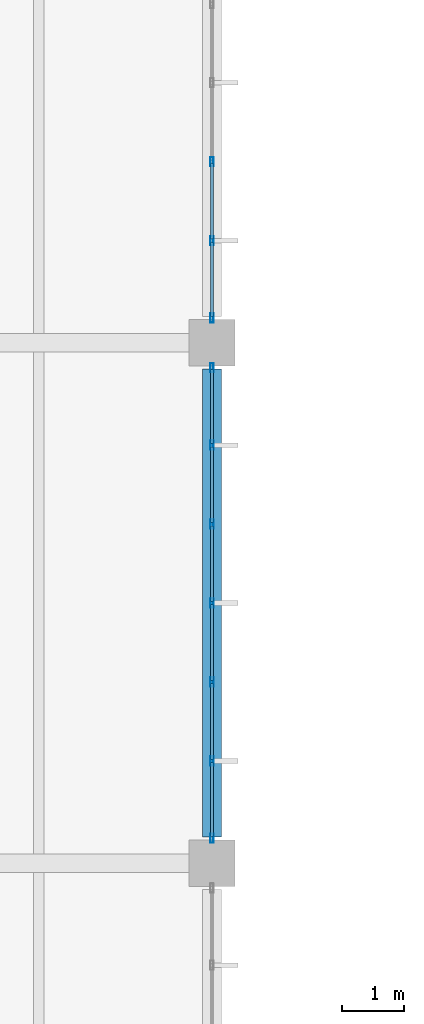
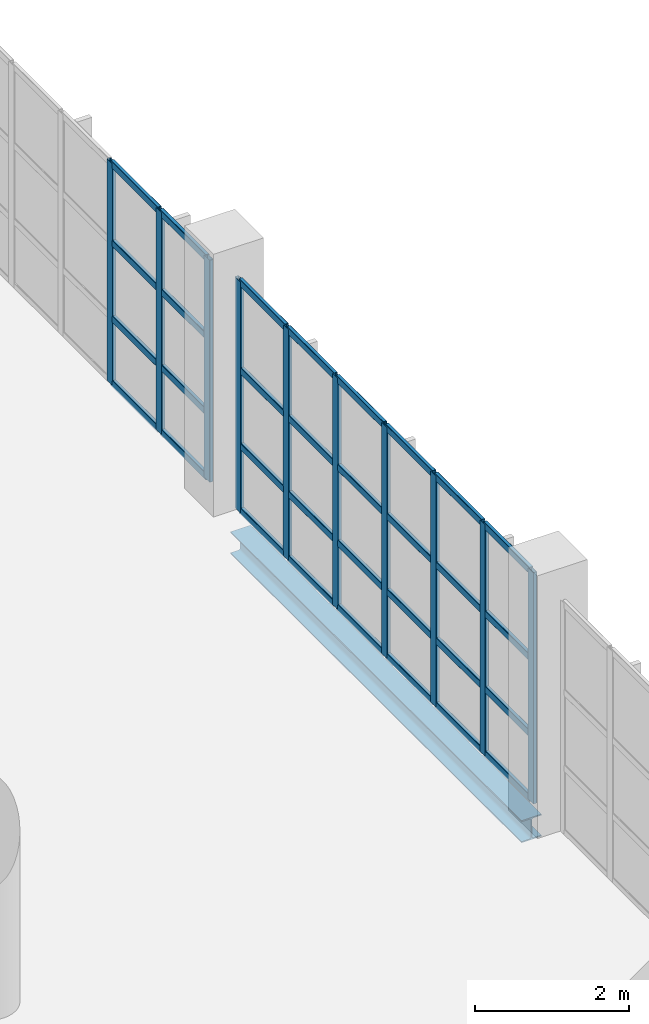
# One storey, part 58 of 177: 42 members, 1 beam, 2 elements without a shape of their own.
"""IFC4 building model written with IfcOpenShell, lengths in metres."""

from ifc_helpers import new_model, si_unit, direction, frame, origin, origin_2d, place, context, subcontext, project, spatial, hollow_rectangle, i_section, extrude, material, layer, layer_set, material_profile, profile_set, type_object, element, aggregate, save


model = new_model("IFC4")

# Units and contexts
model_context = context("Model", 3, precision=1e-05, world=origin(), true_north=direction((0.0, 1.0)))
body_context = subcontext(model_context, "Body", "Model", "MODEL_VIEW")
ifc_project = project(units=[si_unit("LENGTHUNIT", "METRE"), si_unit("AREAUNIT", "SQUARE_METRE"), si_unit("VOLUMEUNIT", "CUBIC_METRE"), si_unit("PLANEANGLEUNIT", "RADIAN"), si_unit("MASSUNIT", "GRAM", prefix="KILO"), si_unit("THERMODYNAMICTEMPERATUREUNIT", "KELVIN"), si_unit("POWERUNIT", "WATT")], contexts=[model_context])

# Site, building, storey
site_placement = place(None, origin())
site = spatial("IfcSite", under=ifc_project, at=site_placement, CompositionType="ELEMENT")
building_placement = place(site_placement, origin())
building = spatial("IfcBuilding", under=site, at=building_placement, Name="Mavoryth Pier Ferry Terminal", CompositionType="ELEMENT")
storey_placement = place(building_placement, frame((0.0, 0.0, 5.43994140625)))
storey = spatial("IfcBuildingStorey", under=building, at=storey_placement, Name="L01", CompositionType="ELEMENT", Elevation=5.43994140625)

# Curtain wall, members
ifc_material_1 = material(Name="Anodised Aluminium and Solar-Control Low-E Glass", Category="aluminium")
ifc_layer = layer(ifc_material_1, 0.199951171875, Name="Anodised Aluminium and Solar-Control Low-E Glass", Category="aluminium")
ifc_layer_set = layer_set([ifc_layer], Name="Anodised Aluminium and Solar-Control Low-E Glass - CW-Concourse-Mod1200")
curtain_wall_type = type_object("IfcCurtainWallType", Name="CW-Concourse-Mod1200", PredefinedType="USERDEFINED", material=ifc_layer_set)
curtain_wall_1_placement = place(storey_placement, origin())
curtain_wall_1 = element("IfcCurtainWall", 1, at=curtain_wall_1_placement, inside=storey, type_object=curtain_wall_type, Name="Curtain Wall CW-0111-016", ObjectType="UNITISED CURTAIN WALL", PredefinedType="USERDEFINED")
ifc_material_2 = material(Name="Anodised Aluminium EN AW-6063", Category="aluminium")
ifc_material_profile_1 = material_profile(ifc_material_2, hollow_rectangle(XDim=0.054931640625, YDim=0.14990234375, WallThickness=0.00390625, InnerFilletRadius=0.00390625, OuterFilletRadius=0.008056640625, at=origin_2d()), Name="AL-MULL 150x55x4", Category="aluminium")
ifc_profile_set_1 = profile_set([ifc_material_profile_1], Name="Anodised Aluminium EN AW-6063 - AL-MULL 150x55x4")
member_type_1 = type_object("IfcMemberType", Name="Mullion-Alum-150x55", PredefinedType="MULLION", material=ifc_profile_set_1)
member_1_placement = place(storey_placement, frame((33.60009765625, 64.402587890625, 0.0), z_axis=(0.0, 0.0, 1.0), x_axis=(-1.0, 0.0, 0.0)))
member_1 = element("IfcMember", 2, at=member_1_placement, type_object=member_type_1, Name="CW02 mullion 1", PredefinedType="MULLION", context=body_context, shape_type="SweptSolid", body=[
    extrude(hollow_rectangle(XDim=0.054931640625, YDim=0.14990234375, WallThickness=0.00390625, InnerFilletRadius=0.00390625, OuterFilletRadius=0.008056640625, at=origin_2d()), origin(), (0.0, 0.0, 1.0), 3.66015625),
])
member_2_placement = place(storey_placement, frame((33.60009765625, 65.64990234375, 0.0), z_axis=(0.0, 0.0, 1.0), x_axis=(-1.0, 0.0, 0.0)))
member_2 = element("IfcMember", 3, at=member_2_placement, type_object=member_type_1, Name="CW02 mullion 2", PredefinedType="MULLION", context=body_context, shape_type="SweptSolid", body=[
    extrude(hollow_rectangle(XDim=0.054931640625, YDim=0.14990234375, WallThickness=0.00390625, InnerFilletRadius=0.00390625, OuterFilletRadius=0.008056640625, at=origin_2d()), origin(), (0.0, 0.0, 1.0), 3.66015625),
])
member_3_placement = place(storey_placement, frame((33.60009765625, 66.925048828125, 0.0), z_axis=(0.0, 0.0, 1.0), x_axis=(-1.0, 0.0, 0.0)))
member_3 = element("IfcMember", 4, at=member_3_placement, type_object=member_type_1, Name="CW02 mullion 3", PredefinedType="MULLION", context=body_context, shape_type="SweptSolid", body=[
    extrude(hollow_rectangle(XDim=0.054931640625, YDim=0.14990234375, WallThickness=0.00390625, InnerFilletRadius=0.00390625, OuterFilletRadius=0.008056640625, at=origin_2d()), origin(), (0.0, 0.0, 1.0), 3.66015625),
])
member_4_placement = place(storey_placement, frame((33.60009765625, 68.199951171875, 0.0), z_axis=(0.0, 0.0, 1.0), x_axis=(-1.0, 0.0, 0.0)))
member_4 = element("IfcMember", 5, at=member_4_placement, type_object=member_type_1, Name="CW02 mullion 4", PredefinedType="MULLION", context=body_context, shape_type="SweptSolid", body=[
    extrude(hollow_rectangle(XDim=0.054931640625, YDim=0.14990234375, WallThickness=0.00390625, InnerFilletRadius=0.00390625, OuterFilletRadius=0.008056640625, at=origin_2d()), origin(), (0.0, 0.0, 1.0), 3.66015625),
])
member_5_placement = place(storey_placement, frame((33.60009765625, 69.47509765625, 0.0), z_axis=(0.0, 0.0, 1.0), x_axis=(-1.0, 0.0, 0.0)))
member_5 = element("IfcMember", 6, at=member_5_placement, type_object=member_type_1, Name="CW02 mullion 5", PredefinedType="MULLION", context=body_context, shape_type="SweptSolid", body=[
    extrude(hollow_rectangle(XDim=0.054931640625, YDim=0.14990234375, WallThickness=0.00390625, InnerFilletRadius=0.00390625, OuterFilletRadius=0.008056640625, at=origin_2d()), origin(), (0.0, 0.0, 1.0), 3.66015625),
])
member_6_placement = place(storey_placement, frame((33.60009765625, 70.75, 0.0), z_axis=(0.0, 0.0, 1.0), x_axis=(-1.0, 0.0, 0.0)))
member_6 = element("IfcMember", 7, at=member_6_placement, type_object=member_type_1, Name="CW02 mullion 6", PredefinedType="MULLION", context=body_context, shape_type="SweptSolid", body=[
    extrude(hollow_rectangle(XDim=0.054931640625, YDim=0.14990234375, WallThickness=0.00390625, InnerFilletRadius=0.00390625, OuterFilletRadius=0.008056640625, at=origin_2d()), origin(), (0.0, 0.0, 1.0), 3.66015625),
])
member_7_placement = place(storey_placement, frame((33.60009765625, 71.99755859375, 0.0), z_axis=(0.0, 0.0, 1.0), x_axis=(-1.0, 0.0, 0.0)))
member_7 = element("IfcMember", 8, at=member_7_placement, type_object=member_type_1, Name="CW02 mullion 7", PredefinedType="MULLION", context=body_context, shape_type="SweptSolid", body=[
    extrude(hollow_rectangle(XDim=0.054931640625, YDim=0.14990234375, WallThickness=0.00390625, InnerFilletRadius=0.00390625, OuterFilletRadius=0.008056640625, at=origin_2d()), origin(), (0.0, 0.0, 1.0), 3.66015625),
])

curtain_wall_2_placement = place(storey_placement, origin())
curtain_wall_2 = element("IfcCurtainWall", 9, at=curtain_wall_2_placement, inside=storey, type_object=curtain_wall_type, Name="Curtain Wall CW-0111-020", ObjectType="UNITISED CURTAIN WALL", PredefinedType="USERDEFINED")
member_8_placement = place(storey_placement, frame((33.60009765625, 72.802490234375, 0.0), z_axis=(0.0, 0.0, 1.0), x_axis=(-1.0, 0.0, 0.0)))
member_8 = element("IfcMember", 10, at=member_8_placement, type_object=member_type_1, Name="CW02 mullion 1", PredefinedType="MULLION", context=body_context, shape_type="SweptSolid", body=[
    extrude(hollow_rectangle(XDim=0.054931640625, YDim=0.14990234375, WallThickness=0.00390625, InnerFilletRadius=0.00390625, OuterFilletRadius=0.008056640625, at=origin_2d()), origin(), (0.0, 0.0, 1.0), 3.51513671875),
])
member_9_placement = place(storey_placement, frame((33.60009765625, 74.050048828125, 0.0), z_axis=(0.0, 0.0, 1.0), x_axis=(-1.0, 0.0, 0.0)))
member_9 = element("IfcMember", 11, at=member_9_placement, type_object=member_type_1, Name="CW02 mullion 2", PredefinedType="MULLION", context=body_context, shape_type="SweptSolid", body=[
    extrude(hollow_rectangle(XDim=0.054931640625, YDim=0.14990234375, WallThickness=0.00390625, InnerFilletRadius=0.00390625, OuterFilletRadius=0.008056640625, at=origin_2d()), origin(), (0.0, 0.0, 1.0), 3.51513671875),
])
member_10_placement = place(storey_placement, frame((33.60009765625, 75.324951171875, 0.0), z_axis=(0.0, 0.0, 1.0), x_axis=(-1.0, 0.0, 0.0)))
member_10 = element("IfcMember", 12, at=member_10_placement, type_object=member_type_1, Name="CW02 mullion 3", PredefinedType="MULLION", context=body_context, shape_type="SweptSolid", body=[
    extrude(hollow_rectangle(XDim=0.054931640625, YDim=0.14990234375, WallThickness=0.00390625, InnerFilletRadius=0.00390625, OuterFilletRadius=0.008056640625, at=origin_2d()), origin(), (0.0, 0.0, 1.0), 3.51513671875),
])

# Beam
ifc_material_3 = material(Name="Steel S355J2", Category="steel")
ifc_material_profile_2 = material_profile(ifc_material_3, i_section(OverallWidth=0.300048828125, OverallDepth=0.35009765625, WebThickness=0.010009765625, FlangeThickness=0.017578125, FilletRadius=0.027099609375, at=origin_2d()), Name="HEA 360", Category="steel")
ifc_profile_set_2 = profile_set([ifc_material_profile_2], Name="Steel S355J2 - HEA 360")
beam_type = type_object("IfcBeamType", Name="Spandrel-Steel-HEA360", PredefinedType="SPANDREL", material=ifc_profile_set_2)
beam_placement = place(storey_placement, frame((33.60009765625, 64.425048828125, -0.454833984375), z_axis=(0.0, 1.0, 0.0), x_axis=(-1.0, 0.0, 0.0)))
element("IfcBeam", 13, at=beam_placement, inside=storey, type_object=beam_type, Name="Beam B01-SP03-0106", PredefinedType="SPANDREL", context=body_context, shape_type="SweptSolid", body=[
    extrude(i_section(OverallWidth=0.300048828125, OverallDepth=0.35009765625, WebThickness=0.010009765625, FlangeThickness=0.017578125, FilletRadius=0.027099609375, at=origin_2d()), origin(), (0.0, 0.0, 1.0), 7.550048828125),
])

# Member
ifc_material_profile_3 = material_profile(ifc_material_2, hollow_rectangle(XDim=0.054931640625, YDim=0.110107421875, WallThickness=0.00390625, InnerFilletRadius=0.00390625, OuterFilletRadius=0.008056640625, at=origin_2d()), Name="AL-TRAN 110x55x4", Category="aluminium")
ifc_profile_set_3 = profile_set([ifc_material_profile_3], Name="Anodised Aluminium EN AW-6063 - AL-TRAN 110x55x4")
member_type_2 = type_object("IfcMemberType", Name="Transom-Alum-110x55", PredefinedType="USERDEFINED", material=ifc_profile_set_3)
member_11_placement = place(storey_placement, frame((33.60009765625, 64.429931640625, 0.027587890625), z_axis=(0.0, 1.0, 0.0), x_axis=(-1.0, 0.0, 0.0)))
member_11 = element("IfcMember", 14, at=member_11_placement, type_object=member_type_2, Name="CW02 transom 1.1", ObjectType="TRANSOM", PredefinedType="USERDEFINED", context=body_context, shape_type="SweptSolid", body=[
    extrude(hollow_rectangle(XDim=0.054931640625, YDim=0.110107421875, WallThickness=0.00390625, InnerFilletRadius=0.00390625, OuterFilletRadius=0.008056640625, at=origin_2d()), origin(), (0.0, 0.0, 1.0), 1.192626953125),
])

member_12_placement = place(storey_placement, frame((33.60009765625, 64.429931640625, 1.050048828125), z_axis=(0.0, 1.0, 0.0), x_axis=(-1.0, 0.0, 0.0)))
member_12 = element("IfcMember", 15, at=member_12_placement, type_object=member_type_2, Name="CW02 transom 1.2", ObjectType="TRANSOM", PredefinedType="USERDEFINED", context=body_context, shape_type="SweptSolid", body=[
    extrude(hollow_rectangle(XDim=0.054931640625, YDim=0.110107421875, WallThickness=0.00390625, InnerFilletRadius=0.00390625, OuterFilletRadius=0.008056640625, at=origin_2d()), origin(), (0.0, 0.0, 1.0), 1.192626953125),
])

member_13_placement = place(storey_placement, frame((33.60009765625, 64.429931640625, 2.25), z_axis=(0.0, 1.0, 0.0), x_axis=(-1.0, 0.0, 0.0)))
member_13 = element("IfcMember", 16, at=member_13_placement, type_object=member_type_2, Name="CW02 transom 1.3", ObjectType="TRANSOM", PredefinedType="USERDEFINED", context=body_context, shape_type="SweptSolid", body=[
    extrude(hollow_rectangle(XDim=0.054931640625, YDim=0.110107421875, WallThickness=0.00390625, InnerFilletRadius=0.00390625, OuterFilletRadius=0.008056640625, at=origin_2d()), origin(), (0.0, 0.0, 1.0), 1.192626953125),
])

member_14_placement = place(storey_placement, frame((33.60009765625, 64.429931640625, 3.632568359375), z_axis=(0.0, 1.0, 0.0), x_axis=(-1.0, 0.0, 0.0)))
member_14 = element("IfcMember", 17, at=member_14_placement, type_object=member_type_2, Name="CW02 transom 1.4", ObjectType="TRANSOM", PredefinedType="USERDEFINED", context=body_context, shape_type="SweptSolid", body=[
    extrude(hollow_rectangle(XDim=0.054931640625, YDim=0.110107421875, WallThickness=0.00390625, InnerFilletRadius=0.00390625, OuterFilletRadius=0.008056640625, at=origin_2d()), origin(), (0.0, 0.0, 1.0), 1.192626953125),
])

member_15_placement = place(storey_placement, frame((33.60009765625, 65.677490234375, 0.027587890625), z_axis=(0.0, 1.0, 0.0), x_axis=(-1.0, 0.0, 0.0)))
member_15 = element("IfcMember", 18, at=member_15_placement, type_object=member_type_2, Name="CW02 transom 2.1", ObjectType="TRANSOM", PredefinedType="USERDEFINED", context=body_context, shape_type="SweptSolid", body=[
    extrude(hollow_rectangle(XDim=0.054931640625, YDim=0.110107421875, WallThickness=0.00390625, InnerFilletRadius=0.00390625, OuterFilletRadius=0.008056640625, at=origin_2d()), origin(), (0.0, 0.0, 1.0), 1.219970703125),
])

member_16_placement = place(storey_placement, frame((33.60009765625, 65.677490234375, 1.050048828125), z_axis=(0.0, 1.0, 0.0), x_axis=(-1.0, 0.0, 0.0)))
member_16 = element("IfcMember", 19, at=member_16_placement, type_object=member_type_2, Name="CW02 transom 2.2", ObjectType="TRANSOM", PredefinedType="USERDEFINED", context=body_context, shape_type="SweptSolid", body=[
    extrude(hollow_rectangle(XDim=0.054931640625, YDim=0.110107421875, WallThickness=0.00390625, InnerFilletRadius=0.00390625, OuterFilletRadius=0.008056640625, at=origin_2d()), origin(), (0.0, 0.0, 1.0), 1.219970703125),
])

member_17_placement = place(storey_placement, frame((33.60009765625, 65.677490234375, 2.25), z_axis=(0.0, 1.0, 0.0), x_axis=(-1.0, 0.0, 0.0)))
member_17 = element("IfcMember", 20, at=member_17_placement, type_object=member_type_2, Name="CW02 transom 2.3", ObjectType="TRANSOM", PredefinedType="USERDEFINED", context=body_context, shape_type="SweptSolid", body=[
    extrude(hollow_rectangle(XDim=0.054931640625, YDim=0.110107421875, WallThickness=0.00390625, InnerFilletRadius=0.00390625, OuterFilletRadius=0.008056640625, at=origin_2d()), origin(), (0.0, 0.0, 1.0), 1.219970703125),
])

member_18_placement = place(storey_placement, frame((33.60009765625, 65.677490234375, 3.632568359375), z_axis=(0.0, 1.0, 0.0), x_axis=(-1.0, 0.0, 0.0)))
member_18 = element("IfcMember", 21, at=member_18_placement, type_object=member_type_2, Name="CW02 transom 2.4", ObjectType="TRANSOM", PredefinedType="USERDEFINED", context=body_context, shape_type="SweptSolid", body=[
    extrude(hollow_rectangle(XDim=0.054931640625, YDim=0.110107421875, WallThickness=0.00390625, InnerFilletRadius=0.00390625, OuterFilletRadius=0.008056640625, at=origin_2d()), origin(), (0.0, 0.0, 1.0), 1.219970703125),
])

member_19_placement = place(storey_placement, frame((33.60009765625, 66.952392578125, 0.027587890625), z_axis=(0.0, 1.0, 0.0), x_axis=(-1.0, 0.0, 0.0)))
member_19 = element("IfcMember", 22, at=member_19_placement, type_object=member_type_2, Name="CW02 transom 3.1", ObjectType="TRANSOM", PredefinedType="USERDEFINED", context=body_context, shape_type="SweptSolid", body=[
    extrude(hollow_rectangle(XDim=0.054931640625, YDim=0.110107421875, WallThickness=0.00390625, InnerFilletRadius=0.00390625, OuterFilletRadius=0.008056640625, at=origin_2d()), origin(), (0.0, 0.0, 1.0), 1.22021484375),
])

member_20_placement = place(storey_placement, frame((33.60009765625, 66.952392578125, 1.050048828125), z_axis=(0.0, 1.0, 0.0), x_axis=(-1.0, 0.0, 0.0)))
member_20 = element("IfcMember", 23, at=member_20_placement, type_object=member_type_2, Name="CW02 transom 3.2", ObjectType="TRANSOM", PredefinedType="USERDEFINED", context=body_context, shape_type="SweptSolid", body=[
    extrude(hollow_rectangle(XDim=0.054931640625, YDim=0.110107421875, WallThickness=0.00390625, InnerFilletRadius=0.00390625, OuterFilletRadius=0.008056640625, at=origin_2d()), origin(), (0.0, 0.0, 1.0), 1.22021484375),
])

member_21_placement = place(storey_placement, frame((33.60009765625, 66.952392578125, 2.25), z_axis=(0.0, 1.0, 0.0), x_axis=(-1.0, 0.0, 0.0)))
member_21 = element("IfcMember", 24, at=member_21_placement, type_object=member_type_2, Name="CW02 transom 3.3", ObjectType="TRANSOM", PredefinedType="USERDEFINED", context=body_context, shape_type="SweptSolid", body=[
    extrude(hollow_rectangle(XDim=0.054931640625, YDim=0.110107421875, WallThickness=0.00390625, InnerFilletRadius=0.00390625, OuterFilletRadius=0.008056640625, at=origin_2d()), origin(), (0.0, 0.0, 1.0), 1.22021484375),
])

member_22_placement = place(storey_placement, frame((33.60009765625, 66.952392578125, 3.632568359375), z_axis=(0.0, 1.0, 0.0), x_axis=(-1.0, 0.0, 0.0)))
member_22 = element("IfcMember", 25, at=member_22_placement, type_object=member_type_2, Name="CW02 transom 3.4", ObjectType="TRANSOM", PredefinedType="USERDEFINED", context=body_context, shape_type="SweptSolid", body=[
    extrude(hollow_rectangle(XDim=0.054931640625, YDim=0.110107421875, WallThickness=0.00390625, InnerFilletRadius=0.00390625, OuterFilletRadius=0.008056640625, at=origin_2d()), origin(), (0.0, 0.0, 1.0), 1.22021484375),
])

member_23_placement = place(storey_placement, frame((33.60009765625, 68.2275390625, 0.027587890625), z_axis=(0.0, 1.0, 0.0), x_axis=(-1.0, 0.0, 0.0)))
member_23 = element("IfcMember", 26, at=member_23_placement, type_object=member_type_2, Name="CW02 transom 4.1", ObjectType="TRANSOM", PredefinedType="USERDEFINED", context=body_context, shape_type="SweptSolid", body=[
    extrude(hollow_rectangle(XDim=0.054931640625, YDim=0.110107421875, WallThickness=0.00390625, InnerFilletRadius=0.00390625, OuterFilletRadius=0.008056640625, at=origin_2d()), origin(), (0.0, 0.0, 1.0), 1.219970703125),
])

member_24_placement = place(storey_placement, frame((33.60009765625, 68.2275390625, 1.050048828125), z_axis=(0.0, 1.0, 0.0), x_axis=(-1.0, 0.0, 0.0)))
member_24 = element("IfcMember", 27, at=member_24_placement, type_object=member_type_2, Name="CW02 transom 4.2", ObjectType="TRANSOM", PredefinedType="USERDEFINED", context=body_context, shape_type="SweptSolid", body=[
    extrude(hollow_rectangle(XDim=0.054931640625, YDim=0.110107421875, WallThickness=0.00390625, InnerFilletRadius=0.00390625, OuterFilletRadius=0.008056640625, at=origin_2d()), origin(), (0.0, 0.0, 1.0), 1.219970703125),
])

member_25_placement = place(storey_placement, frame((33.60009765625, 68.2275390625, 2.25), z_axis=(0.0, 1.0, 0.0), x_axis=(-1.0, 0.0, 0.0)))
member_25 = element("IfcMember", 28, at=member_25_placement, type_object=member_type_2, Name="CW02 transom 4.3", ObjectType="TRANSOM", PredefinedType="USERDEFINED", context=body_context, shape_type="SweptSolid", body=[
    extrude(hollow_rectangle(XDim=0.054931640625, YDim=0.110107421875, WallThickness=0.00390625, InnerFilletRadius=0.00390625, OuterFilletRadius=0.008056640625, at=origin_2d()), origin(), (0.0, 0.0, 1.0), 1.219970703125),
])

member_26_placement = place(storey_placement, frame((33.60009765625, 68.2275390625, 3.632568359375), z_axis=(0.0, 1.0, 0.0), x_axis=(-1.0, 0.0, 0.0)))
member_26 = element("IfcMember", 29, at=member_26_placement, type_object=member_type_2, Name="CW02 transom 4.4", ObjectType="TRANSOM", PredefinedType="USERDEFINED", context=body_context, shape_type="SweptSolid", body=[
    extrude(hollow_rectangle(XDim=0.054931640625, YDim=0.110107421875, WallThickness=0.00390625, InnerFilletRadius=0.00390625, OuterFilletRadius=0.008056640625, at=origin_2d()), origin(), (0.0, 0.0, 1.0), 1.219970703125),
])

member_27_placement = place(storey_placement, frame((33.60009765625, 69.50244140625, 0.027587890625), z_axis=(0.0, 1.0, 0.0), x_axis=(-1.0, 0.0, 0.0)))
member_27 = element("IfcMember", 30, at=member_27_placement, type_object=member_type_2, Name="CW02 transom 5.1", ObjectType="TRANSOM", PredefinedType="USERDEFINED", context=body_context, shape_type="SweptSolid", body=[
    extrude(hollow_rectangle(XDim=0.054931640625, YDim=0.110107421875, WallThickness=0.00390625, InnerFilletRadius=0.00390625, OuterFilletRadius=0.008056640625, at=origin_2d()), origin(), (0.0, 0.0, 1.0), 1.219970703125),
])

member_28_placement = place(storey_placement, frame((33.60009765625, 69.50244140625, 1.050048828125), z_axis=(0.0, 1.0, 0.0), x_axis=(-1.0, 0.0, 0.0)))
member_28 = element("IfcMember", 31, at=member_28_placement, type_object=member_type_2, Name="CW02 transom 5.2", ObjectType="TRANSOM", PredefinedType="USERDEFINED", context=body_context, shape_type="SweptSolid", body=[
    extrude(hollow_rectangle(XDim=0.054931640625, YDim=0.110107421875, WallThickness=0.00390625, InnerFilletRadius=0.00390625, OuterFilletRadius=0.008056640625, at=origin_2d()), origin(), (0.0, 0.0, 1.0), 1.219970703125),
])

member_29_placement = place(storey_placement, frame((33.60009765625, 69.50244140625, 2.25), z_axis=(0.0, 1.0, 0.0), x_axis=(-1.0, 0.0, 0.0)))
member_29 = element("IfcMember", 32, at=member_29_placement, type_object=member_type_2, Name="CW02 transom 5.3", ObjectType="TRANSOM", PredefinedType="USERDEFINED", context=body_context, shape_type="SweptSolid", body=[
    extrude(hollow_rectangle(XDim=0.054931640625, YDim=0.110107421875, WallThickness=0.00390625, InnerFilletRadius=0.00390625, OuterFilletRadius=0.008056640625, at=origin_2d()), origin(), (0.0, 0.0, 1.0), 1.219970703125),
])

member_30_placement = place(storey_placement, frame((33.60009765625, 69.50244140625, 3.632568359375), z_axis=(0.0, 1.0, 0.0), x_axis=(-1.0, 0.0, 0.0)))
member_30 = element("IfcMember", 33, at=member_30_placement, type_object=member_type_2, Name="CW02 transom 5.4", ObjectType="TRANSOM", PredefinedType="USERDEFINED", context=body_context, shape_type="SweptSolid", body=[
    extrude(hollow_rectangle(XDim=0.054931640625, YDim=0.110107421875, WallThickness=0.00390625, InnerFilletRadius=0.00390625, OuterFilletRadius=0.008056640625, at=origin_2d()), origin(), (0.0, 0.0, 1.0), 1.219970703125),
])

member_31_placement = place(storey_placement, frame((33.60009765625, 70.777587890625, 0.027587890625), z_axis=(0.0, 1.0, 0.0), x_axis=(-1.0, 0.0, 0.0)))
member_31 = element("IfcMember", 34, at=member_31_placement, type_object=member_type_2, Name="CW02 transom 6.1", ObjectType="TRANSOM", PredefinedType="USERDEFINED", context=body_context, shape_type="SweptSolid", body=[
    extrude(hollow_rectangle(XDim=0.054931640625, YDim=0.110107421875, WallThickness=0.00390625, InnerFilletRadius=0.00390625, OuterFilletRadius=0.008056640625, at=origin_2d()), origin(), (0.0, 0.0, 1.0), 1.1923828125),
])

member_32_placement = place(storey_placement, frame((33.60009765625, 70.777587890625, 1.050048828125), z_axis=(0.0, 1.0, 0.0), x_axis=(-1.0, 0.0, 0.0)))
member_32 = element("IfcMember", 35, at=member_32_placement, type_object=member_type_2, Name="CW02 transom 6.2", ObjectType="TRANSOM", PredefinedType="USERDEFINED", context=body_context, shape_type="SweptSolid", body=[
    extrude(hollow_rectangle(XDim=0.054931640625, YDim=0.110107421875, WallThickness=0.00390625, InnerFilletRadius=0.00390625, OuterFilletRadius=0.008056640625, at=origin_2d()), origin(), (0.0, 0.0, 1.0), 1.1923828125),
])

member_33_placement = place(storey_placement, frame((33.60009765625, 70.777587890625, 2.25), z_axis=(0.0, 1.0, 0.0), x_axis=(-1.0, 0.0, 0.0)))
member_33 = element("IfcMember", 36, at=member_33_placement, type_object=member_type_2, Name="CW02 transom 6.3", ObjectType="TRANSOM", PredefinedType="USERDEFINED", context=body_context, shape_type="SweptSolid", body=[
    extrude(hollow_rectangle(XDim=0.054931640625, YDim=0.110107421875, WallThickness=0.00390625, InnerFilletRadius=0.00390625, OuterFilletRadius=0.008056640625, at=origin_2d()), origin(), (0.0, 0.0, 1.0), 1.1923828125),
])

member_34_placement = place(storey_placement, frame((33.60009765625, 70.777587890625, 3.632568359375), z_axis=(0.0, 1.0, 0.0), x_axis=(-1.0, 0.0, 0.0)))
member_34 = element("IfcMember", 37, at=member_34_placement, type_object=member_type_2, Name="CW02 transom 6.4", ObjectType="TRANSOM", PredefinedType="USERDEFINED", context=body_context, shape_type="SweptSolid", body=[
    extrude(hollow_rectangle(XDim=0.054931640625, YDim=0.110107421875, WallThickness=0.00390625, InnerFilletRadius=0.00390625, OuterFilletRadius=0.008056640625, at=origin_2d()), origin(), (0.0, 0.0, 1.0), 1.1923828125),
])

aggregate(curtain_wall_1, [member_1, member_2, member_3, member_4, member_5, member_6, member_7, member_11, member_12, member_13, member_14, member_15, member_16, member_17, member_18, member_19, member_20, member_21, member_22, member_23, member_24, member_25, member_26, member_27, member_28, member_29, member_30, member_31, member_32, member_33, member_34])

member_35_placement = place(storey_placement, frame((33.60009765625, 72.830078125, 0.027587890625), z_axis=(0.0, 1.0, 0.0), x_axis=(-1.0, 0.0, 0.0)))
member_35 = element("IfcMember", 38, at=member_35_placement, type_object=member_type_2, Name="CW02 transom 1.1", ObjectType="TRANSOM", PredefinedType="USERDEFINED", context=body_context, shape_type="SweptSolid", body=[
    extrude(hollow_rectangle(XDim=0.054931640625, YDim=0.110107421875, WallThickness=0.00390625, InnerFilletRadius=0.00390625, OuterFilletRadius=0.008056640625, at=origin_2d()), origin(), (0.0, 0.0, 1.0), 1.1923828125),
])

member_36_placement = place(storey_placement, frame((33.60009765625, 72.830078125, 1.050048828125), z_axis=(0.0, 1.0, 0.0), x_axis=(-1.0, 0.0, 0.0)))
member_36 = element("IfcMember", 39, at=member_36_placement, type_object=member_type_2, Name="CW02 transom 1.2", ObjectType="TRANSOM", PredefinedType="USERDEFINED", context=body_context, shape_type="SweptSolid", body=[
    extrude(hollow_rectangle(XDim=0.054931640625, YDim=0.110107421875, WallThickness=0.00390625, InnerFilletRadius=0.00390625, OuterFilletRadius=0.008056640625, at=origin_2d()), origin(), (0.0, 0.0, 1.0), 1.1923828125),
])

member_37_placement = place(storey_placement, frame((33.60009765625, 72.830078125, 2.25), z_axis=(0.0, 1.0, 0.0), x_axis=(-1.0, 0.0, 0.0)))
member_37 = element("IfcMember", 40, at=member_37_placement, type_object=member_type_2, Name="CW02 transom 1.3", ObjectType="TRANSOM", PredefinedType="USERDEFINED", context=body_context, shape_type="SweptSolid", body=[
    extrude(hollow_rectangle(XDim=0.054931640625, YDim=0.110107421875, WallThickness=0.00390625, InnerFilletRadius=0.00390625, OuterFilletRadius=0.008056640625, at=origin_2d()), origin(), (0.0, 0.0, 1.0), 1.1923828125),
])

member_38_placement = place(storey_placement, frame((33.60009765625, 72.830078125, 3.487548828125), z_axis=(0.0, 1.0, 0.0), x_axis=(-1.0, 0.0, 0.0)))
member_38 = element("IfcMember", 41, at=member_38_placement, type_object=member_type_2, Name="CW02 transom 1.4", ObjectType="TRANSOM", PredefinedType="USERDEFINED", context=body_context, shape_type="SweptSolid", body=[
    extrude(hollow_rectangle(XDim=0.054931640625, YDim=0.110107421875, WallThickness=0.00390625, InnerFilletRadius=0.00390625, OuterFilletRadius=0.008056640625, at=origin_2d()), origin(), (0.0, 0.0, 1.0), 1.1923828125),
])

member_39_placement = place(storey_placement, frame((33.60009765625, 74.077392578125, 0.027587890625), z_axis=(0.0, 1.0, 0.0), x_axis=(-1.0, 0.0, 0.0)))
member_39 = element("IfcMember", 42, at=member_39_placement, type_object=member_type_2, Name="CW02 transom 2.1", ObjectType="TRANSOM", PredefinedType="USERDEFINED", context=body_context, shape_type="SweptSolid", body=[
    extrude(hollow_rectangle(XDim=0.054931640625, YDim=0.110107421875, WallThickness=0.00390625, InnerFilletRadius=0.00390625, OuterFilletRadius=0.008056640625, at=origin_2d()), origin(), (0.0, 0.0, 1.0), 1.22021484375),
])

member_40_placement = place(storey_placement, frame((33.60009765625, 74.077392578125, 1.050048828125), z_axis=(0.0, 1.0, 0.0), x_axis=(-1.0, 0.0, 0.0)))
member_40 = element("IfcMember", 43, at=member_40_placement, type_object=member_type_2, Name="CW02 transom 2.2", ObjectType="TRANSOM", PredefinedType="USERDEFINED", context=body_context, shape_type="SweptSolid", body=[
    extrude(hollow_rectangle(XDim=0.054931640625, YDim=0.110107421875, WallThickness=0.00390625, InnerFilletRadius=0.00390625, OuterFilletRadius=0.008056640625, at=origin_2d()), origin(), (0.0, 0.0, 1.0), 1.22021484375),
])

member_41_placement = place(storey_placement, frame((33.60009765625, 74.077392578125, 2.25), z_axis=(0.0, 1.0, 0.0), x_axis=(-1.0, 0.0, 0.0)))
member_41 = element("IfcMember", 44, at=member_41_placement, type_object=member_type_2, Name="CW02 transom 2.3", ObjectType="TRANSOM", PredefinedType="USERDEFINED", context=body_context, shape_type="SweptSolid", body=[
    extrude(hollow_rectangle(XDim=0.054931640625, YDim=0.110107421875, WallThickness=0.00390625, InnerFilletRadius=0.00390625, OuterFilletRadius=0.008056640625, at=origin_2d()), origin(), (0.0, 0.0, 1.0), 1.22021484375),
])

member_42_placement = place(storey_placement, frame((33.60009765625, 74.077392578125, 3.487548828125), z_axis=(0.0, 1.0, 0.0), x_axis=(-1.0, 0.0, 0.0)))
member_42 = element("IfcMember", 45, at=member_42_placement, type_object=member_type_2, Name="CW02 transom 2.4", ObjectType="TRANSOM", PredefinedType="USERDEFINED", context=body_context, shape_type="SweptSolid", body=[
    extrude(hollow_rectangle(XDim=0.054931640625, YDim=0.110107421875, WallThickness=0.00390625, InnerFilletRadius=0.00390625, OuterFilletRadius=0.008056640625, at=origin_2d()), origin(), (0.0, 0.0, 1.0), 1.22021484375),
])

aggregate(curtain_wall_2, [member_8, member_9, member_10, member_35, member_36, member_37, member_38, member_39, member_40, member_41, member_42])

save(model, "model.ifc")
